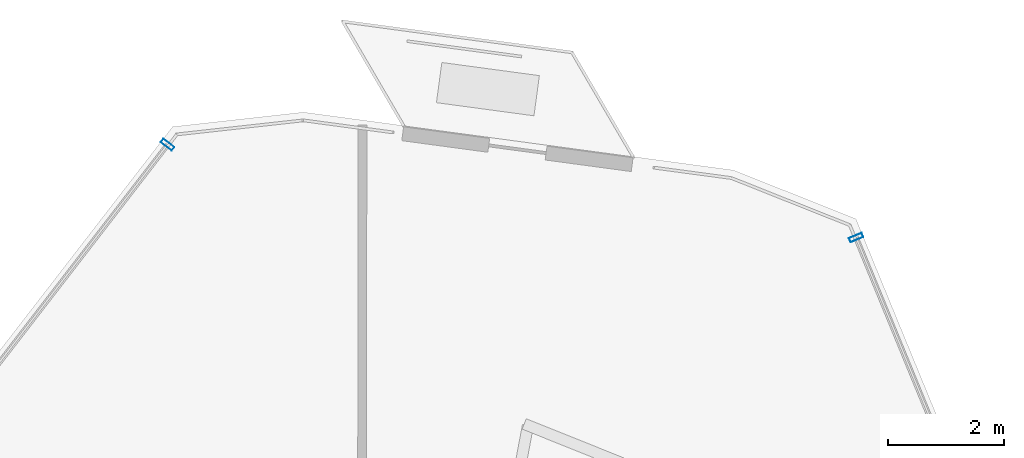
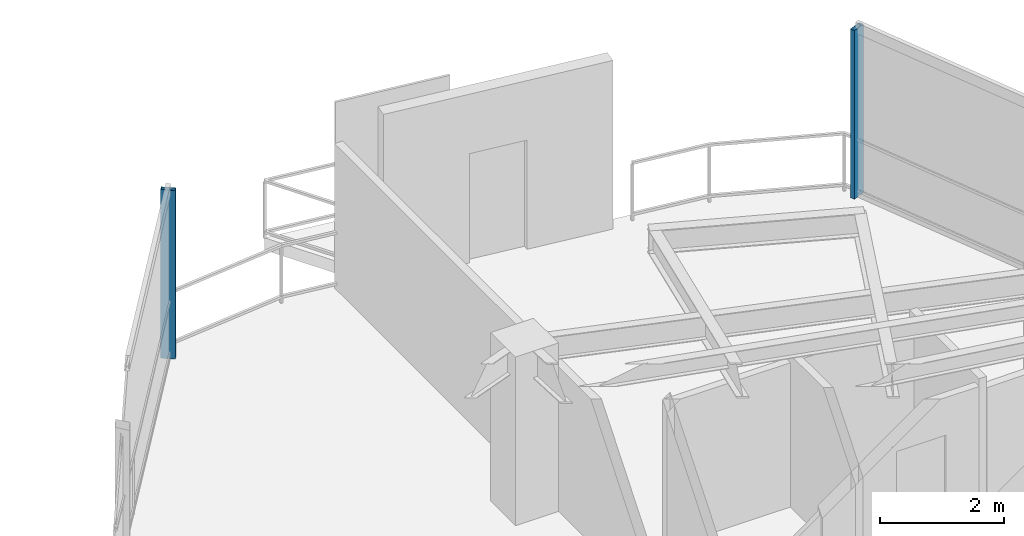
# One storey, part 13 of 19: 2 members, 2 elements without a shape of their own.
"""IFC4 building model written with IfcOpenShell, lengths in metres."""

from ifc_helpers import new_model, si_unit, direction, frame, origin, origin_2d, place, context, subcontext, project, spatial, hollow_rectangle, extrude, material, layer, layer_set, material_profile, profile_set, type_object, element, aggregate, save


model = new_model("IFC4")

# Units and contexts
model_context = context("Model", 3, precision=1e-05, world=origin(), true_north=direction((0.0, 1.0)))
body_context = subcontext(model_context, "Body", "Model", "MODEL_VIEW")
ifc_project = project(units=[si_unit("LENGTHUNIT", "METRE"), si_unit("AREAUNIT", "SQUARE_METRE"), si_unit("VOLUMEUNIT", "CUBIC_METRE"), si_unit("PLANEANGLEUNIT", "RADIAN"), si_unit("MASSUNIT", "GRAM", prefix="KILO")], contexts=[model_context])

# Site, building, storey
site_placement = place(None, origin())
site = spatial("IfcSite", under=ifc_project, at=site_placement, CompositionType="ELEMENT")
building_placement = place(site_placement, origin())
building = spatial("IfcBuilding", under=site, at=building_placement, Name="Qarnah Convention Tower", CompositionType="ELEMENT")
storey_placement = place(building_placement, frame((0.0, 0.0, 264.300048828125)))
storey = spatial("IfcBuildingStorey", under=building, at=storey_placement, Name="L71", CompositionType="ELEMENT", Elevation=264.300048828125)

# Curtain wall, member
ifc_material_1 = material(Name="Tempered Low-E dark glass", Category="glass")
ifc_layer = layer(ifc_material_1, 0.176025390625)
ifc_layer_set = layer_set([ifc_layer], Name="Tempered Low-E dark glass")
curtain_wall_type = type_object("IfcCurtainWallType", Name="CWS-05", PredefinedType="NOTDEFINED", material=ifc_layer_set)
curtain_wall_1_placement = place(storey_placement, origin())
curtain_wall_1 = element("IfcCurtainWall", 1, at=curtain_wall_1_placement, inside=storey, type_object=curtain_wall_type, Name="L71 unitised curtain wall CW-L71-F1", PredefinedType="NOTDEFINED")
ifc_material_2 = material(Name="Black anodised aluminium", Category="aluminium")
ifc_material_profile = material_profile(ifc_material_2, hollow_rectangle(XDim=0.080078125, YDim=0.239990234375, WallThickness=0.0048828125, at=origin_2d()), Name="MUL-80X240")
ifc_profile_set = profile_set([ifc_material_profile], Name="Black anodised aluminium")
member_type = type_object("IfcMemberType", Name="MUL-T5", PredefinedType="MULLION", material=ifc_profile_set)
member_1_placement = place(storey_placement, frame((45.743896484375, 44.840087890625, 0.0), z_axis=(0.0, 0.0, 1.0), x_axis=(0.37977560806, -0.925078638561, 0.0)))
member_1 = element("IfcMember", 2, at=member_1_placement, type_object=member_type, Name="CW-L71-F1 mullion 1", PredefinedType="MULLION", context=body_context, shape_type="SweptSolid", body=[
    extrude(hollow_rectangle(XDim=0.080078125, YDim=0.239990234375, WallThickness=0.0048828125, at=origin_2d()), origin(), (0.0, 0.0, 1.0), 3.320068359375),
])
aggregate(curtain_wall_1, [member_1])

curtain_wall_2_placement = place(storey_placement, origin())
curtain_wall_2 = element("IfcCurtainWall", 3, at=curtain_wall_2_placement, inside=storey, type_object=curtain_wall_type, Name="L71 unitised curtain wall CW-L71-F2", PredefinedType="NOTDEFINED")
member_2_placement = place(storey_placement, frame((33.845947265625, 46.444091796875, 0.0), z_axis=(0.0, 0.0, 1.0), x_axis=(0.611290898886, 0.79140598743, 0.0)))
member_2 = element("IfcMember", 4, at=member_2_placement, type_object=member_type, Name="CW-L71-F2 mullion 6", PredefinedType="MULLION", context=body_context, shape_type="SweptSolid", body=[
    extrude(hollow_rectangle(XDim=0.080078125, YDim=0.239990234375, WallThickness=0.0048828125, at=origin_2d()), origin(), (0.0, 0.0, 1.0), 3.320068359375),
])
aggregate(curtain_wall_2, [member_2])

save(model, "model.ifc")
